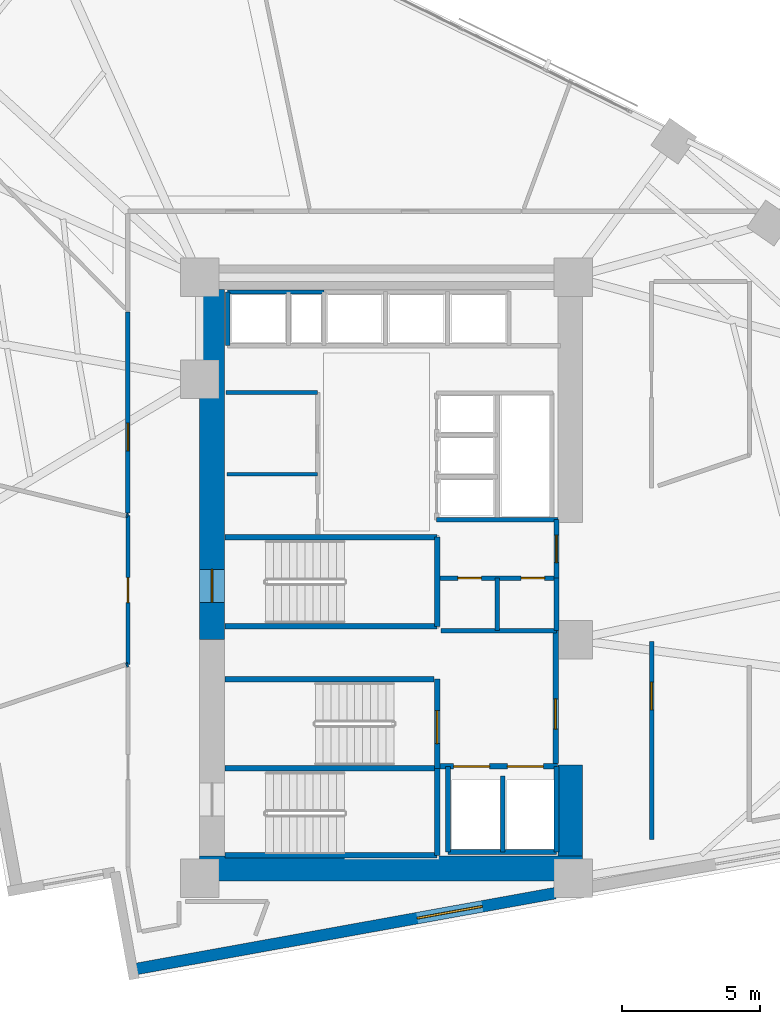
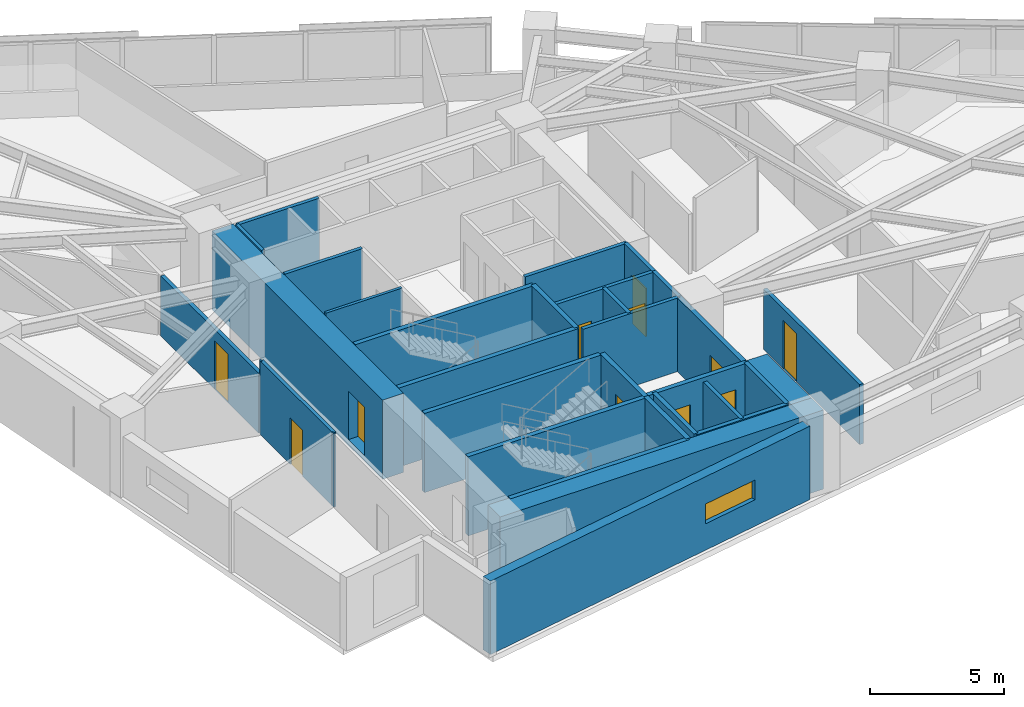
# One storey, part 13 of 18: 33 walls, 11 doors, 1 window, 12 openings.
"""IFC4 building model written with IfcOpenShell, lengths in metres."""

from ifc_helpers import new_model, si_unit, direction, frame, frame_2d, origin, place, context, subcontext, project, spatial, rectangle, extrude, material, layer, layer_set, type_object, element, fill, save


model = new_model("IFC4")

# Units and contexts
model_context = context("Model", 3, precision=1e-05, world=origin(), true_north=direction((0.0, 1.0)))
body_context = subcontext(model_context, "Body", "Model", "MODEL_VIEW")
ifc_project = project(units=[si_unit("LENGTHUNIT", "METRE"), si_unit("AREAUNIT", "SQUARE_METRE"), si_unit("VOLUMEUNIT", "CUBIC_METRE"), si_unit("PLANEANGLEUNIT", "RADIAN"), si_unit("MASSUNIT", "GRAM", prefix="KILO")], contexts=[model_context])

# Site, building, storey
site_placement = place(None, origin())
site = spatial("IfcSite", under=ifc_project, at=site_placement, CompositionType="ELEMENT")
building_placement = place(site_placement, origin())
building = spatial("IfcBuilding", under=site, at=building_placement, Name="Narakoshi Arena Tower", CompositionType="ELEMENT")
storey_placement = place(building_placement, frame((0.0, 0.0, 99.300048828125)))
storey = spatial("IfcBuildingStorey", under=building, at=storey_placement, Name="L26", CompositionType="ELEMENT", Elevation=99.300048828125)

# Walls
ifc_material_1 = material(Name="Concrete C60/75", Category="concrete")
ifc_layer_1 = layer(ifc_material_1, 0.89990234375)
ifc_layer_set_1 = layer_set([ifc_layer_1], Name="Concrete C60/75")
wall_type_1 = type_object("IfcWallType", Name="WL-CORE-900", PredefinedType="SHEAR", material=ifc_layer_set_1)
wall_1_placement = place(storey_placement, frame((72.0, 35.050048828125, -0.260009765625), z_axis=(0.0, 0.0, 1.0), x_axis=(1.0, 0.0, 0.0)))
element("IfcWall", 1, at=wall_1_placement, inside=storey, type_object=wall_type_1, Name="L26 Central Core Shear Wall CW-APX-S", PredefinedType="SHEAR", context=body_context, shape_type="SweptSolid", body=[
    extrude(rectangle(XDim=13.89990234375, YDim=0.89990234375, at=frame_2d((6.949951171875, 0.0))), origin(), (0.0, 0.0, 1.0), 3.599853515625),
])
wall_2_placement = place(storey_placement, frame((85.449951171875, 35.5, -0.260009765625), z_axis=(0.0, 0.0, 1.0), x_axis=(0.0, 1.0, 0.0)))
element("IfcWall", 2, at=wall_2_placement, inside=storey, type_object=wall_type_1, Name="L26 Central Core Shear Wall CW-APX-E", PredefinedType="SHEAR", context=body_context, shape_type="SweptSolid", body=[
    extrude(rectangle(XDim=3.300048828125, YDim=0.89990234375, at=frame_2d((1.64990234375, 0.0))), origin(), (0.0, 0.0, 1.0), 3.599853515625),
])

# Wall, opening, door
wall_3_placement = place(storey_placement, frame((72.449951171875, 43.35009765625, -0.260009765625), z_axis=(0.0, 0.0, 1.0), x_axis=(0.0, 1.0, 0.0)))
wall_3 = element("IfcWall", 3, at=wall_3_placement, inside=storey, type_object=wall_type_1, Name="L26 Main Core Shear Wall CW-MN-W", PredefinedType="SHEAR", context=body_context, shape_type="SweptSolid", body=[
    extrude(rectangle(XDim=12.699951171875, YDim=0.89990234375, at=frame_2d((6.35009765625, 0.0))), origin(), (0.0, 0.0, 1.0), 3.599853515625),
])
opening_1_placement = place(wall_3_placement, frame((1.35009765625, 0.0, 0.260009765625)))
opening_1 = element("IfcOpeningElement", 4, at=opening_1_placement, cuts=wall_3, Name="Opening D-03", PredefinedType="OPENING", context=body_context, shape_type="SweptSolid", body=[
    extrude(rectangle(XDim=1.199951171875, YDim=2.199951171875, at=frame_2d((0.60009765625, 1.10009765625))), frame((0.0, 0.4599609375, 0.0), z_axis=(0.0, -1.0, 0.0), x_axis=(1.0, 0.0, 0.0)), (0.0, 0.0, 1.0), 0.919921875),
])
ifc_material_2 = material(Name="Painted galvanized steel", Category="steel")
door_type_1 = type_object("IfcDoorType", Name="DR-STR-1200", OperationType="NOTDEFINED", PredefinedType="USERDEFINED", material=ifc_material_2)
door_1_placement = place(opening_1_placement, frame((1.199951171875, 0.0, 0.0), z_axis=(0.0, 0.0, 1.0), x_axis=(-1.0, 0.0, 0.0)))
door_1 = element("IfcDoor", 5, at=door_1_placement, inside=storey, type_object=door_type_1, Name="DR-L26-006", ObjectType="EXITDOOR", OperationType="SINGLE_SWING_LEFT", OverallHeight=2.199951171875, OverallWidth=1.199951171875, PredefinedType="USERDEFINED", context=body_context, shape_type="SweptSolid", body=[
    extrude(rectangle(XDim=1.199951171875, YDim=2.199951171875, at=frame_2d((0.60009765625, 1.10009765625))), frame((0.0, 0.02490234375, 0.0), z_axis=(0.0, -1.0, 0.0), x_axis=(1.0, 0.0, 0.0)), (0.0, 0.0, 1.0), 0.050048828125),
])
fill(opening_1, door_1)

ifc_material_3 = material(Name="Gypsum plasterboard fire-rated partition")
ifc_layer_2 = layer(ifc_material_3, 0.1650390625)
ifc_layer_set_2 = layer_set([ifc_layer_2], Name="Gypsum plasterboard fire-rated partition")
wall_type_2 = type_object("IfcWallType", Name="WL-CORR-165", PredefinedType="PARTITIONING", material=ifc_layer_set_2)
wall_4_placement = place(storey_placement, frame((84.949951171875, 45.580078125, 0.0), z_axis=(0.0, 0.0, 1.0), x_axis=(0.0, 1.0, 0.0)))
wall_4 = element("IfcWall", 6, at=wall_4_placement, inside=storey, type_object=wall_type_2, Name="L26 Core Wall CPAS-E", PredefinedType="PARTITIONING", context=body_context, shape_type="SweptSolid", body=[
    extrude(rectangle(XDim=2.119873046875, YDim=0.1650390625, at=frame_2d((1.06005859375, 0.0))), origin(), (0.0, 0.0, 1.0), 3.33984375),
])
opening_2_placement = place(wall_4_placement, frame((0.56005859375, 0.0, 0.0)))
opening_2 = element("IfcOpeningElement", 7, at=opening_2_placement, cuts=wall_4, Name="Opening D-06", PredefinedType="OPENING", context=body_context, shape_type="SweptSolid", body=[
    extrude(rectangle(XDim=1.0, YDim=2.199951171875, at=frame_2d((0.5, 1.10009765625))), frame((0.0, 0.092529296875, 0.0), z_axis=(0.0, -1.0, 0.0), x_axis=(1.0, 0.0, 0.0)), (0.0, 0.0, 1.0), 0.18505859375),
])
ifc_material_4 = material(Name="Stained oak solid-core timber", Category="wood")
door_type_2 = type_object("IfcDoorType", Name="DR-OFF-1000", OperationType="NOTDEFINED", PredefinedType="DOOR", material=ifc_material_4)
door_2_placement = place(opening_2_placement, frame((1.0, 0.0, 0.0), z_axis=(0.0, 0.0, 1.0), x_axis=(-1.0, 0.0, 0.0)))
door_2 = element("IfcDoor", 8, at=door_2_placement, inside=storey, type_object=door_type_2, Name="DR-L26-007", OperationType="SINGLE_SWING_LEFT", OverallHeight=2.199951171875, OverallWidth=1.0, PredefinedType="DOOR", context=body_context, shape_type="SweptSolid", body=[
    extrude(rectangle(XDim=1.0, YDim=2.199951171875, at=frame_2d((0.5, 1.10009765625))), frame((0.0, 0.02490234375, 0.0), z_axis=(0.0, -1.0, 0.0), x_axis=(1.0, 0.0, 0.0)), (0.0, 0.0, 1.0), 0.050048828125),
])
fill(opening_2, door_2)

wall_5_placement = place(storey_placement, frame((88.39990234375, 36.10400390625, 0.0), z_axis=(0.0, 0.0, 1.0), x_axis=(0.0, 1.0, 0.0)))
wall_5 = element("IfcWall", 9, at=wall_5_placement, inside=storey, type_object=wall_type_2, Name="L26 Corridor Partition 03-1", PredefinedType="PARTITIONING", context=body_context, shape_type="SweptSolid", body=[
    extrude(rectangle(XDim=7.169921875, YDim=0.1650390625, at=frame_2d((3.5849609375, 0.0))), origin(), (0.0, 0.0, 1.0), 2.724853515625),
])
opening_3_placement = place(wall_5_placement, frame((4.700439453125, 0.0, 0.0)))
opening_3 = element("IfcOpeningElement", 10, at=opening_3_placement, cuts=wall_5, Name="Opening D-06", PredefinedType="OPENING", context=body_context, shape_type="SweptSolid", body=[
    extrude(rectangle(XDim=1.0, YDim=2.199951171875, at=frame_2d((0.5, 1.10009765625))), frame((0.0, 0.092529296875, 0.0), z_axis=(0.0, -1.0, 0.0), x_axis=(1.0, 0.0, 0.0)), (0.0, 0.0, 1.0), 0.18505859375),
])
door_3_placement = place(opening_3_placement, frame((1.0, 0.0, 0.0), z_axis=(0.0, 0.0, 1.0), x_axis=(-1.0, 0.0, 0.0)))
door_3 = element("IfcDoor", 11, at=door_3_placement, inside=storey, type_object=door_type_2, Name="DR-L26-017", OperationType="SINGLE_SWING_RIGHT", OverallHeight=2.199951171875, OverallWidth=1.0, PredefinedType="DOOR", context=body_context, shape_type="SweptSolid", body=[
    extrude(rectangle(XDim=1.0, YDim=2.199951171875, at=frame_2d((0.5, 1.10009765625))), frame((0.0, 0.02490234375, 0.0), z_axis=(0.0, -1.0, 0.0), x_axis=(1.0, 0.0, 0.0)), (0.0, 0.0, 1.0), 0.050048828125),
])
fill(opening_3, door_3)

wall_6_placement = place(storey_placement, frame((69.39990234375, 55.232177734375, 0.0), z_axis=(0.0, 0.0, 1.0), x_axis=(0.0, -1.0, 0.0)))
wall_6 = element("IfcWall", 12, at=wall_6_placement, inside=storey, type_object=wall_type_2, Name="L26 Corridor Partition 09-1", PredefinedType="PARTITIONING", context=body_context, shape_type="SweptSolid", body=[
    extrude(rectangle(XDim=7.292236328125, YDim=0.1650390625, at=frame_2d((3.64599609375, 0.0))), origin(), (0.0, 0.0, 1.0), 2.724853515625),
])
opening_4_placement = place(wall_6_placement, frame((4.02978515625, 0.0, 0.0)))
opening_4 = element("IfcOpeningElement", 13, at=opening_4_placement, cuts=wall_6, Name="Opening D-06", PredefinedType="OPENING", context=body_context, shape_type="SweptSolid", body=[
    extrude(rectangle(XDim=1.0, YDim=2.199951171875, at=frame_2d((0.5, 1.10009765625))), frame((0.0, 0.092529296875, 0.0), z_axis=(0.0, -1.0, 0.0), x_axis=(1.0, 0.0, 0.0)), (0.0, 0.0, 1.0), 0.18505859375),
])
door_4_placement = place(opening_4_placement, frame((1.0, 0.0, 0.0), z_axis=(0.0, 0.0, 1.0), x_axis=(-1.0, 0.0, 0.0)))
door_4 = element("IfcDoor", 14, at=door_4_placement, inside=storey, type_object=door_type_2, Name="DR-L26-023", OperationType="SINGLE_SWING_RIGHT", OverallHeight=2.199951171875, OverallWidth=1.0, PredefinedType="DOOR", context=body_context, shape_type="SweptSolid", body=[
    extrude(rectangle(XDim=1.0, YDim=2.199951171875, at=frame_2d((0.5, 1.10009765625))), frame((0.0, 0.02490234375, 0.0), z_axis=(0.0, -1.0, 0.0), x_axis=(1.0, 0.0, 0.0)), (0.0, 0.0, 1.0), 0.050048828125),
])
fill(opening_4, door_4)

# Wall
ifc_layer_3 = layer(ifc_material_3, 0.125)
ifc_layer_set_3 = layer_set([ifc_layer_3], Name="Gypsum plasterboard fire-rated partition")
wall_type_3 = type_object("IfcWallType", Name="WL-PART-125", PredefinedType="PARTITIONING", material=ifc_layer_set_3)
wall_7_placement = place(storey_placement, frame((73.0, 49.35009765625, 0.0), z_axis=(0.0, 0.0, 1.0), x_axis=(1.0, 0.0, 0.0)))
element("IfcWall", 15, at=wall_7_placement, inside=storey, type_object=wall_type_3, Name="L26 Core Wall RCL-LR-D1", PredefinedType="PARTITIONING", context=body_context, shape_type="SweptSolid", body=[
    extrude(rectangle(XDim=3.280029296875, YDim=0.125, at=frame_2d((1.64013671875, 0.0))), origin(), (0.0, 0.0, 1.0), 3.33984375),
])

# Wall, opening, window
ifc_material_5 = material(Name="Precast concrete C45/55", Category="concrete")
ifc_layer_4 = layer(ifc_material_5, 0.419921875)
ifc_layer_set_4 = layer_set([ifc_layer_4], Name="Precast concrete C45/55")
wall_type_4 = type_object("IfcWallType", Name="WL-POD-420", PredefinedType="SOLIDWALL", material=ifc_layer_set_4)
wall_8_placement = place(storey_placement, frame((69.564697265625, 31.376953125, 0.0), z_axis=(0.0, 0.0, 1.0), x_axis=(0.98404091451, 0.177942346197, 0.0)))
wall_8 = element("IfcWall", 16, at=wall_8_placement, inside=storey, type_object=wall_type_4, Name="L26 Architectural Concrete Facade Wall LEGA-1", PredefinedType="SOLIDWALL", context=body_context, shape_type="SweptSolid", body=[
    extrude(rectangle(XDim=15.58349609375, YDim=0.419921875, at=frame_2d((7.791748046875, 0.0))), origin(), (0.0, 0.0, 1.0), 3.33984375),
])
opening_5_placement = place(wall_8_placement, frame((10.5, 0.0, 1.199951171875)))
opening_5 = element("IfcOpeningElement", 17, at=opening_5_placement, cuts=wall_8, Name="Opening WN-01", PredefinedType="OPENING", context=body_context, shape_type="SweptSolid", body=[
    extrude(rectangle(XDim=2.39990234375, YDim=0.89990234375, at=frame_2d((1.199951171875, 0.449951171875))), frame((0.0, 0.219970703125, 0.0), z_axis=(0.0, -1.0, 0.0), x_axis=(1.0, 0.0, 0.0)), (0.0, 0.0, 1.0), 0.43994140625),
])
ifc_material_6 = material(Name="Bronze-tinted low-E laminated glass", Category="glass")
window_type = type_object("IfcWindowType", Name="WIN-SLT-24x09", PartitioningType="SINGLE_PANEL", PredefinedType="WINDOW", material=ifc_material_6)
window_placement = place(opening_5_placement, origin())
window = element("IfcWindow", 18, at=window_placement, inside=storey, type_object=window_type, Name="L26 LEGA1 Horizontal Slot Window 1", OverallHeight=0.89990234375, OverallWidth=2.39990234375, PartitioningType="SINGLE_PANEL", PredefinedType="WINDOW", context=body_context, shape_type="SweptSolid", body=[
    extrude(rectangle(XDim=2.39990234375, YDim=0.89990234375, at=frame_2d((1.199951171875, 0.449951171875))), frame((0.0, 0.030029296875, 0.0), z_axis=(0.0, -1.0, 0.0), x_axis=(1.0, 0.0, 0.0)), (0.0, 0.0, 1.0), 0.06005859375),
])
fill(opening_5, window)

# Walls
ifc_material_7 = material(Name="Concrete C40/50", Category="concrete")
ifc_layer_5 = layer(ifc_material_7, 0.280029296875)
ifc_layer_set_5 = layer_set([ifc_layer_5], Name="Concrete C40/50")
wall_type_5 = type_object("IfcWallType", Name="WL-RISER-280", PredefinedType="PLUMBINGWALL", material=ifc_layer_set_5)
wall_9_placement = place(storey_placement, frame((83.0, 35.64990234375, 0.0), z_axis=(0.0, 0.0, 1.0), x_axis=(0.0, 1.0, 0.0)))
element("IfcWall", 19, at=wall_9_placement, inside=storey, type_object=wall_type_5, Name="L26 Core Wall FF-DIV", PredefinedType="PLUMBINGWALL", context=body_context, shape_type="SweptSolid", body=[
    extrude(rectangle(XDim=2.75, YDim=0.159912109375, at=frame_2d((1.375, 0.0))), origin(), (0.0, 0.0, 1.0), 3.33984375),
])
wall_10_placement = place(storey_placement, frame((84.949951171875, 43.679931640625, 0.0), z_axis=(0.0, 0.0, 1.0), x_axis=(0.0, 1.0, 0.0)))
element("IfcWall", 20, at=wall_10_placement, inside=storey, type_object=wall_type_5, Name="L26 Core Wall RSR-E", PredefinedType="PLUMBINGWALL", context=body_context, shape_type="SweptSolid", body=[
    extrude(rectangle(XDim=1.900146484375, YDim=0.1650390625, at=frame_2d((0.9501953125, 0.0))), origin(), (0.0, 0.0, 1.0), 3.33984375),
])

# Wall, openings, doors
wall_11_placement = place(storey_placement, frame((80.719970703125, 45.580078125, 0.0), z_axis=(0.0, 0.0, 1.0), x_axis=(1.0, 0.0, 0.0)))
wall_11 = element("IfcWall", 21, at=wall_11_placement, inside=storey, type_object=wall_type_5, Name="L26 Core Wall RSR-N", PredefinedType="PLUMBINGWALL", context=body_context, shape_type="SweptSolid", body=[
    extrude(rectangle(XDim=4.22998046875, YDim=0.159912109375, at=frame_2d((2.114990234375, 0.0))), origin(), (0.0, 0.0, 1.0), 3.33984375),
])
opening_6_placement = place(wall_11_placement, frame((0.64990234375, 0.0, 0.0)))
opening_6 = element("IfcOpeningElement", 22, at=opening_6_placement, cuts=wall_11, Name="Opening D-10", PredefinedType="OPENING", context=body_context, shape_type="SweptSolid", body=[
    extrude(rectangle(XDim=0.85009765625, YDim=2.050048828125, at=frame_2d((0.425048828125, 1.02490234375))), frame((0.0, 0.08984375, 0.0), z_axis=(0.0, -1.0, 0.0), x_axis=(1.0, 0.0, 0.0)), (0.0, 0.0, 1.0), 0.179931640625),
])
opening_7_placement = place(wall_11_placement, frame((2.949951171875, 0.0, 0.0)))
opening_7 = element("IfcOpeningElement", 23, at=opening_7_placement, cuts=wall_11, Name="Opening D-10", PredefinedType="OPENING", context=body_context, shape_type="SweptSolid", body=[
    extrude(rectangle(XDim=0.85009765625, YDim=2.050048828125, at=frame_2d((0.425048828125, 1.02490234375))), frame((0.0, 0.08984375, 0.0), z_axis=(0.0, -1.0, 0.0), x_axis=(1.0, 0.0, 0.0)), (0.0, 0.0, 1.0), 0.179931640625),
])
door_type_3 = type_object("IfcDoorType", Name="DR-RSR-850", OperationType="NOTDEFINED", PredefinedType="DOOR", material=ifc_material_2)
door_5_placement = place(opening_6_placement, frame((0.85009765625, 0.0, 0.0), z_axis=(0.0, 0.0, 1.0), x_axis=(-1.0, 0.0, 0.0)))
door_5 = element("IfcDoor", 24, at=door_5_placement, inside=storey, type_object=door_type_3, Name="DR-L26-008", OperationType="SINGLE_SWING_LEFT", OverallHeight=2.050048828125, OverallWidth=0.85009765625, PredefinedType="DOOR", context=body_context, shape_type="SweptSolid", body=[
    extrude(rectangle(XDim=0.85009765625, YDim=2.050048828125, at=frame_2d((0.425048828125, 1.02490234375))), frame((0.0, 0.02490234375, 0.0), z_axis=(0.0, -1.0, 0.0), x_axis=(1.0, 0.0, 0.0)), (0.0, 0.0, 1.0), 0.050048828125),
])
fill(opening_6, door_5)
door_6_placement = place(opening_7_placement, frame((0.85009765625, 0.0, 0.0), z_axis=(0.0, 0.0, 1.0), x_axis=(-1.0, 0.0, 0.0)))
door_6 = element("IfcDoor", 25, at=door_6_placement, inside=storey, type_object=door_type_3, Name="DR-L26-009", OperationType="SINGLE_SWING_RIGHT", OverallHeight=2.050048828125, OverallWidth=0.85009765625, PredefinedType="DOOR", context=body_context, shape_type="SweptSolid", body=[
    extrude(rectangle(XDim=0.85009765625, YDim=2.050048828125, at=frame_2d((0.425048828125, 1.02490234375))), frame((0.0, 0.02490234375, 0.0), z_axis=(0.0, -1.0, 0.0), x_axis=(1.0, 0.0, 0.0)), (0.0, 0.0, 1.0), 0.050048828125),
])
fill(opening_7, door_6)

# Walls
wall_12_placement = place(storey_placement, frame((80.760009765625, 43.679931640625, 0.0), z_axis=(0.0, 0.0, 1.0), x_axis=(1.0, 0.0, 0.0)))
element("IfcWall", 26, at=wall_12_placement, inside=storey, type_object=wall_type_5, Name="L26 Core Wall RSR-S", PredefinedType="PLUMBINGWALL", context=body_context, shape_type="SweptSolid", body=[
    extrude(rectangle(XDim=4.18994140625, YDim=0.159912109375, at=frame_2d((2.094970703125, 0.0))), origin(), (0.0, 0.0, 1.0), 3.33984375),
])
wall_13_placement = place(storey_placement, frame((82.800048828125, 43.679931640625, 0.0), z_axis=(0.0, 0.0, 1.0), x_axis=(0.0, 1.0, 0.0)))
element("IfcWall", 27, at=wall_13_placement, inside=storey, type_object=wall_type_5, Name="L26 Core Wall RSR-M", PredefinedType="PLUMBINGWALL", context=body_context, shape_type="SweptSolid", body=[
    extrude(rectangle(XDim=1.900146484375, YDim=0.159912109375, at=frame_2d((0.9501953125, 0.0))), origin(), (0.0, 0.0, 1.0), 3.33984375),
])
wall_14_placement = place(storey_placement, frame((73.02001953125, 54.02001953125, 0.0), z_axis=(0.0, 0.0, 1.0), x_axis=(0.0, 1.0, 0.0)))
element("IfcWall", 28, at=wall_14_placement, inside=storey, type_object=wall_type_5, Name="L26 Core Wall OBS-W", PredefinedType="PLUMBINGWALL", context=body_context, shape_type="SweptSolid", body=[
    extrude(rectangle(XDim=1.93994140625, YDim=0.14990234375, at=frame_2d((0.969970703125, 0.0))), origin(), (0.0, 0.0, 1.0), 3.33984375),
])
ifc_material_8 = material(Name="Concrete C50/60", Category="concrete")
ifc_layer_6 = layer(ifc_material_8, 0.35009765625)
ifc_layer_set_6 = layer_set([ifc_layer_6], Name="Concrete C50/60")
wall_type_6 = type_object("IfcWallType", Name="WL-SHAFT-350", PredefinedType="SOLIDWALL", material=ifc_layer_set_6)
for number, where, z_axis, x_axis, name in (
    (29, (72.919921875, 35.52001953125, -0.260009765625), (0.0, 0.0, 1.0), (1.0, 0.0, 0.0), "L26 Core Wall ST1-S"),
    (30, (72.919921875, 38.675048828125, -0.260009765625), (0.0, 0.0, 1.0), (1.0, 0.0, 0.0), "L26 Core Wall ST12-DIV"),
):
    element("IfcWall", number, at=place(storey_placement, frame(where, z_axis=z_axis, x_axis=x_axis)), inside=storey, type_object=wall_type_6, Name=name, PredefinedType="SOLIDWALL", context=body_context, shape_type="SweptSolid", body=[
        extrude(rectangle(XDim=7.7001953125, YDim=0.199951171875, at=frame_2d((3.85009765625, 0.0))), origin(), (0.0, 0.0, 1.0), 3.599853515625),
    ])
wall_15_placement = place(storey_placement, frame((80.6201171875, 35.52001953125, -0.260009765625), z_axis=(0.0, 0.0, 1.0), x_axis=(0.0, 1.0, 0.0)))
element("IfcWall", 31, at=wall_15_placement, inside=storey, type_object=wall_type_6, Name="L26 Core Wall ST1-E", PredefinedType="SOLIDWALL", context=body_context, shape_type="SweptSolid", body=[
    extrude(rectangle(XDim=3.155029296875, YDim=0.199951171875, at=frame_2d((1.57763671875, 0.0))), origin(), (0.0, 0.0, 1.0), 3.599853515625),
])

# Wall, opening, door
wall_16_placement = place(storey_placement, frame((80.6201171875, 38.675048828125, -0.260009765625), z_axis=(0.0, 0.0, 1.0), x_axis=(0.0, 1.0, 0.0)))
wall_16 = element("IfcWall", 32, at=wall_16_placement, inside=storey, type_object=wall_type_6, Name="L26 Core Wall ST2-E", PredefinedType="SOLIDWALL", context=body_context, shape_type="SweptSolid", body=[
    extrude(rectangle(XDim=3.244873046875, YDim=0.199951171875, at=frame_2d((1.62255859375, 0.0))), origin(), (0.0, 0.0, 1.0), 3.599853515625),
])
opening_8_placement = place(wall_16_placement, frame((0.89990234375, 0.0, 0.260009765625)))
opening_8 = element("IfcOpeningElement", 33, at=opening_8_placement, cuts=wall_16, Name="Opening D-03", PredefinedType="OPENING", context=body_context, shape_type="SweptSolid", body=[
    extrude(rectangle(XDim=1.199951171875, YDim=2.199951171875, at=frame_2d((0.60009765625, 1.10009765625))), frame((0.0, 0.10986328125, 0.0), z_axis=(0.0, -1.0, 0.0), x_axis=(1.0, 0.0, 0.0)), (0.0, 0.0, 1.0), 0.219970703125),
])
door_7_placement = place(opening_8_placement, origin())
door_7 = element("IfcDoor", 34, at=door_7_placement, inside=storey, type_object=door_type_1, Name="DR-L26-002", ObjectType="EXITDOOR", OperationType="SINGLE_SWING_RIGHT", OverallHeight=2.199951171875, OverallWidth=1.199951171875, PredefinedType="USERDEFINED", context=body_context, shape_type="SweptSolid", body=[
    extrude(rectangle(XDim=1.199951171875, YDim=2.199951171875, at=frame_2d((0.60009765625, 1.10009765625))), frame((0.0, 0.02490234375, 0.0), z_axis=(0.0, -1.0, 0.0), x_axis=(1.0, 0.0, 0.0)), (0.0, 0.0, 1.0), 0.050048828125),
])
fill(opening_8, door_7)

# Wall, openings, doors
wall_17_placement = place(storey_placement, frame((80.719970703125, 38.75, 0.0), z_axis=(0.0, 0.0, 1.0), x_axis=(1.0, 0.0, 0.0)))
wall_17 = element("IfcWall", 35, at=wall_17_placement, inside=storey, type_object=wall_type_6, Name="L26 Core Wall FF-N", PredefinedType="SOLIDWALL", context=body_context, shape_type="SweptSolid", body=[
    extrude(rectangle(XDim=4.260009765625, YDim=0.199951171875, at=frame_2d((2.1298828125, 0.0))), origin(), (0.0, 0.0, 1.0), 3.33984375),
])
opening_9_placement = place(wall_17_placement, frame((0.5, 0.0, 0.0)))
opening_9 = element("IfcOpeningElement", 36, at=opening_9_placement, cuts=wall_17, Name="Opening LD-02", PredefinedType="OPENING", context=body_context, shape_type="SweptSolid", body=[
    extrude(rectangle(XDim=1.300048828125, YDim=2.300048828125, at=frame_2d((0.64990234375, 1.14990234375))), frame((0.0, 0.10986328125, 0.0), z_axis=(0.0, -1.0, 0.0), x_axis=(1.0, 0.0, 0.0)), (0.0, 0.0, 1.0), 0.219970703125),
])
opening_10_placement = place(wall_17_placement, frame((2.449951171875, 0.0, 0.0)))
opening_10 = element("IfcOpeningElement", 37, at=opening_10_placement, cuts=wall_17, Name="Opening LD-02", PredefinedType="OPENING", context=body_context, shape_type="SweptSolid", body=[
    extrude(rectangle(XDim=1.300048828125, YDim=2.300048828125, at=frame_2d((0.64990234375, 1.14990234375))), frame((0.0, 0.10986328125, 0.0), z_axis=(0.0, -1.0, 0.0), x_axis=(1.0, 0.0, 0.0)), (0.0, 0.0, 1.0), 0.219970703125),
])
ifc_material_9 = material(Name="Brushed bronze stainless steel", Category="steel")
door_type_4 = type_object("IfcDoorType", Name="DR-LFT-1300", OperationType="DOUBLE_DOOR_SLIDING", PredefinedType="DOOR", material=ifc_material_9)
door_8_placement = place(opening_9_placement, origin())
door_8 = element("IfcDoor", 38, at=door_8_placement, inside=storey, type_object=door_type_4, Name="DR-L26-003", OperationType="DOUBLE_DOOR_SLIDING", OverallHeight=2.300048828125, OverallWidth=1.300048828125, PredefinedType="DOOR", context=body_context, shape_type="SweptSolid", body=[
    extrude(rectangle(XDim=1.300048828125, YDim=2.300048828125, at=frame_2d((0.64990234375, 1.14990234375))), frame((0.0, 0.02490234375, 0.0), z_axis=(0.0, -1.0, 0.0), x_axis=(1.0, 0.0, 0.0)), (0.0, 0.0, 1.0), 0.050048828125),
])
fill(opening_9, door_8)
door_9_placement = place(opening_10_placement, origin())
door_9 = element("IfcDoor", 39, at=door_9_placement, inside=storey, type_object=door_type_4, Name="DR-L26-004", OperationType="DOUBLE_DOOR_SLIDING", OverallHeight=2.300048828125, OverallWidth=1.300048828125, PredefinedType="DOOR", context=body_context, shape_type="SweptSolid", body=[
    extrude(rectangle(XDim=1.300048828125, YDim=2.300048828125, at=frame_2d((0.64990234375, 1.14990234375))), frame((0.0, 0.02490234375, 0.0), z_axis=(0.0, -1.0, 0.0), x_axis=(1.0, 0.0, 0.0)), (0.0, 0.0, 1.0), 0.050048828125),
])
fill(opening_10, door_9)

# Walls
for number, where, z_axis, x_axis, name in (
    (40, (84.949951171875, 35.64990234375, 0.0), (0.0, 0.0, 1.0), (0.0, 1.0, 0.0), "L26 Core Wall FF-E"),
    (41, (81.02001953125, 35.64990234375, 0.0), (0.0, 0.0, 1.0), (0.0, 1.0, 0.0), "L26 Core Wall FF-W"),
):
    element("IfcWall", number, at=place(storey_placement, frame(where, z_axis=z_axis, x_axis=x_axis)), inside=storey, type_object=wall_type_6, Name=name, PredefinedType="SOLIDWALL", context=body_context, shape_type="SweptSolid", body=[
        extrude(rectangle(XDim=3.10009765625, YDim=0.179931640625, at=frame_2d((1.550048828125, 0.0))), origin(), (0.0, 0.0, 1.0), 3.33984375),
    ])
wall_18_placement = place(storey_placement, frame((81.02001953125, 35.64990234375, 0.0), z_axis=(0.0, 0.0, 1.0), x_axis=(1.0, 0.0, 0.0)))
element("IfcWall", 42, at=wall_18_placement, inside=storey, type_object=wall_type_6, Name="L26 Core Wall FF-S", PredefinedType="SOLIDWALL", context=body_context, shape_type="SweptSolid", body=[
    extrude(rectangle(XDim=3.929931640625, YDim=0.179931640625, at=frame_2d((1.96484375, 0.0))), origin(), (0.0, 0.0, 1.0), 3.33984375),
])

# Wall, opening, door
wall_19_placement = place(storey_placement, frame((84.919921875, 38.85009765625, 0.0), z_axis=(0.0, 0.0, 1.0), x_axis=(0.0, 1.0, 0.0)))
wall_19 = element("IfcWall", 43, at=wall_19_placement, inside=storey, type_object=wall_type_6, Name="L26 Core Wall FFLOB-E", PredefinedType="SOLIDWALL", context=body_context, shape_type="SweptSolid", body=[
    extrude(rectangle(XDim=4.829833984375, YDim=0.199951171875, at=frame_2d((2.4150390625, 0.0))), origin(), (0.0, 0.0, 1.0), 3.33984375),
])
opening_11_placement = place(wall_19_placement, frame((1.25, 0.0, 0.0)))
opening_11 = element("IfcOpeningElement", 44, at=opening_11_placement, cuts=wall_19, Name="Opening D-04", PredefinedType="OPENING", context=body_context, shape_type="SweptSolid", body=[
    extrude(rectangle(XDim=1.10009765625, YDim=2.199951171875, at=frame_2d((0.550048828125, 1.10009765625))), frame((0.0, 0.10986328125, 0.0), z_axis=(0.0, -1.0, 0.0), x_axis=(1.0, 0.0, 0.0)), (0.0, 0.0, 1.0), 0.219970703125),
])
door_type_5 = type_object("IfcDoorType", Name="DR-FFL-1100", OperationType="NOTDEFINED", PredefinedType="DOOR", material=ifc_material_2)
door_10_placement = place(opening_11_placement, frame((1.10009765625, 0.0, 0.0), z_axis=(0.0, 0.0, 1.0), x_axis=(-1.0, 0.0, 0.0)))
door_10 = element("IfcDoor", 45, at=door_10_placement, inside=storey, type_object=door_type_5, Name="DR-L26-005", OperationType="SINGLE_SWING_RIGHT", OverallHeight=2.199951171875, OverallWidth=1.10009765625, PredefinedType="DOOR", context=body_context, shape_type="SweptSolid", body=[
    extrude(rectangle(XDim=1.10009765625, YDim=2.199951171875, at=frame_2d((0.550048828125, 1.10009765625))), frame((0.0, 0.02490234375, 0.0), z_axis=(0.0, -1.0, 0.0), x_axis=(1.0, 0.0, 0.0)), (0.0, 0.0, 1.0), 0.050048828125),
])
fill(opening_11, door_10)

# Walls
wall_20_placement = place(storey_placement, frame((72.919921875, 41.919921875, -0.260009765625), z_axis=(0.0, 0.0, 1.0), x_axis=(1.0, 0.0, 0.0)))
element("IfcWall", 46, at=wall_20_placement, inside=storey, type_object=wall_type_6, Name="L26 Core Wall ST2-N", PredefinedType="SOLIDWALL", context=body_context, shape_type="SweptSolid", body=[
    extrude(rectangle(XDim=7.580078125, YDim=0.199951171875, at=frame_2d((3.7900390625, 0.0))), origin(), (0.0, 0.0, 1.0), 3.599853515625),
])
for number, where, z_axis, x_axis, name in (
    (47, (72.919921875, 43.830078125, -0.260009765625), (0.0, 0.0, 1.0), (1.0, 0.0, 0.0), "L26 Core Wall ST3-S"),
    (48, (72.919921875, 47.070068359375, -0.260009765625), (0.0, 0.0, 1.0), (1.0, 0.0, 0.0), "L26 Core Wall ST3-N"),
):
    element("IfcWall", number, at=place(storey_placement, frame(where, z_axis=z_axis, x_axis=x_axis)), inside=storey, type_object=wall_type_6, Name=name, PredefinedType="SOLIDWALL", context=body_context, shape_type="SweptSolid", body=[
        extrude(rectangle(XDim=7.7001953125, YDim=0.199951171875, at=frame_2d((3.85009765625, 0.0))), origin(), (0.0, 0.0, 1.0), 3.599853515625),
    ])
wall_21_placement = place(storey_placement, frame((80.6201171875, 43.830078125, -0.260009765625), z_axis=(0.0, 0.0, 1.0), x_axis=(0.0, 1.0, 0.0)))
element("IfcWall", 49, at=wall_21_placement, inside=storey, type_object=wall_type_6, Name="L26 Core Wall ST3-E", PredefinedType="SOLIDWALL", context=body_context, shape_type="SweptSolid", body=[
    extrude(rectangle(XDim=3.239990234375, YDim=0.199951171875, at=frame_2d((1.6201171875, 0.0))), origin(), (0.0, 0.0, 1.0), 3.599853515625),
])
wall_22_placement = place(storey_placement, frame((72.949951171875, 52.320068359375, 0.0), z_axis=(0.0, 0.0, 1.0), x_axis=(1.0, 0.0, 0.0)))
element("IfcWall", 50, at=wall_22_placement, inside=storey, type_object=wall_type_6, Name="L26 Core Wall LR-N", PredefinedType="SOLIDWALL", context=body_context, shape_type="SweptSolid", body=[
    extrude(rectangle(XDim=3.330078125, YDim=0.14990234375, at=frame_2d((1.6650390625, 0.0))), origin(), (0.0, 0.0, 1.0), 3.33984375),
])
wall_23_placement = place(storey_placement, frame((80.60009765625, 47.699951171875, 0.0), z_axis=(0.0, 0.0, 1.0), x_axis=(1.0, 0.0, 0.0)))
element("IfcWall", 51, at=wall_23_placement, inside=storey, type_object=wall_type_6, Name="L26 Core Wall MR-S", PredefinedType="SOLIDWALL", context=body_context, shape_type="SweptSolid", body=[
    extrude(rectangle(XDim=4.39990234375, YDim=0.159912109375, at=frame_2d((2.199951171875, 0.0))), origin(), (0.0, 0.0, 1.0), 3.33984375),
])
wall_24_placement = place(storey_placement, frame((73.02001953125, 55.9599609375, 0.0), z_axis=(0.0, 0.0, 1.0), x_axis=(1.0, 0.0, 0.0)))
element("IfcWall", 52, at=wall_24_placement, inside=storey, type_object=wall_type_6, Name="L26 Core Wall OBS-N", PredefinedType="SOLIDWALL", context=body_context, shape_type="SweptSolid", body=[
    extrude(rectangle(XDim=3.5, YDim=0.14990234375, at=frame_2d((1.75, 0.0))), origin(), (0.0, 0.0, 1.0), 3.33984375),
])

# Wall, opening, door
ifc_material_10 = material(Name="Moisture-resistant cement-board partition")
ifc_layer_7 = layer(ifc_material_10, 0.14501953125)
ifc_layer_set_7 = layer_set([ifc_layer_7], Name="Moisture-resistant cement-board partition")
wall_type_7 = type_object("IfcWallType", Name="WL-WET-145", PredefinedType="PARTITIONING", material=ifc_layer_set_7)
wall_25_placement = place(storey_placement, frame((69.39990234375, 47.85302734375, 0.0), z_axis=(0.0, 0.0, 1.0), x_axis=(0.0, -1.0, 0.0)))
wall_25 = element("IfcWall", 53, at=wall_25_placement, inside=storey, type_object=wall_type_7, Name="L26 Corridor Partition 01-1", PredefinedType="PARTITIONING", context=body_context, shape_type="SweptSolid", body=[
    extrude(rectangle(XDim=5.412841796875, YDim=0.14501953125, at=frame_2d((2.70654296875, 0.0))), origin(), (0.0, 0.0, 1.0), 3.33984375),
])
opening_12_placement = place(wall_25_placement, frame((2.256591796875, 0.0, 0.0)))
opening_12 = element("IfcOpeningElement", 54, at=opening_12_placement, cuts=wall_25, Name="Opening D-08", PredefinedType="OPENING", context=body_context, shape_type="SweptSolid", body=[
    extrude(rectangle(XDim=0.89990234375, YDim=2.10009765625, at=frame_2d((0.449951171875, 1.050048828125))), frame((0.0, 0.08251953125, 0.0), z_axis=(0.0, -1.0, 0.0), x_axis=(1.0, 0.0, 0.0)), (0.0, 0.0, 1.0), 0.1650390625),
])
ifc_material_11 = material(Name="Moisture-resistant laminate timber", Category="wood")
door_type_6 = type_object("IfcDoorType", Name="DR-WC-900", OperationType="NOTDEFINED", PredefinedType="DOOR", material=ifc_material_11)
door_11_placement = place(opening_12_placement, frame((0.89990234375, 0.0, 0.0), z_axis=(0.0, 0.0, 1.0), x_axis=(-1.0, 0.0, 0.0)))
door_11 = element("IfcDoor", 55, at=door_11_placement, inside=storey, type_object=door_type_6, Name="DR-L26-015", OperationType="SINGLE_SWING_RIGHT", OverallHeight=2.10009765625, OverallWidth=0.89990234375, PredefinedType="DOOR", context=body_context, shape_type="SweptSolid", body=[
    extrude(rectangle(XDim=0.89990234375, YDim=2.10009765625, at=frame_2d((0.449951171875, 1.050048828125))), frame((0.0, 0.02490234375, 0.0), z_axis=(0.0, -1.0, 0.0), x_axis=(1.0, 0.0, 0.0)), (0.0, 0.0, 1.0), 0.050048828125),
])
fill(opening_12, door_11)

# Walls
wall_26_placement = place(storey_placement, frame((69.39990234375, 42.440185546875, 0.0), z_axis=(0.0, 0.0, 1.0), x_axis=(-0.947125628306, -0.320862967957, 0.0)))
element("IfcWall", 56, at=wall_26_placement, inside=storey, type_object=wall_type_7, Name="L26 Corridor Partition 01-2", PredefinedType="PARTITIONING", context=body_context, shape_type="SweptSolid", body=[
    extrude(rectangle(XDim=0.063232421875, YDim=0.14501953125, at=frame_2d((0.03173828125, 0.0))), origin(), (0.0, 0.0, 1.0), 3.33984375),
])
wall_27_placement = place(storey_placement, frame((69.340087890625, 47.867431640625, 0.0), z_axis=(0.0, 0.0, 1.0), x_axis=(0.972206912962, -0.234123297407, 0.0)))
element("IfcWall", 57, at=wall_27_placement, inside=storey, type_object=wall_type_7, Name="L26 Corridor Partition 01-3", PredefinedType="PARTITIONING", context=body_context, shape_type="SweptSolid", body=[
    extrude(rectangle(XDim=0.0615234375, YDim=0.14501953125, at=frame_2d((0.03076171875, 0.0))), origin(), (0.0, 0.0, 1.0), 3.33984375),
])

save(model, "model.ifc")
